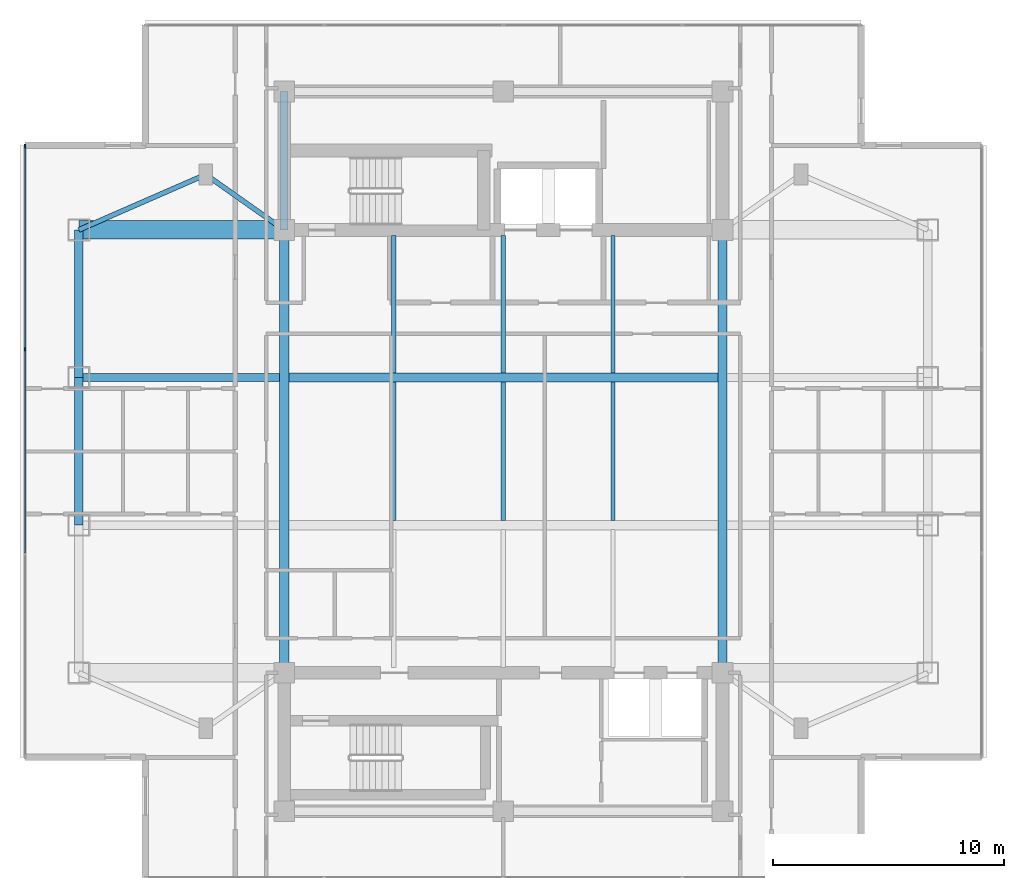
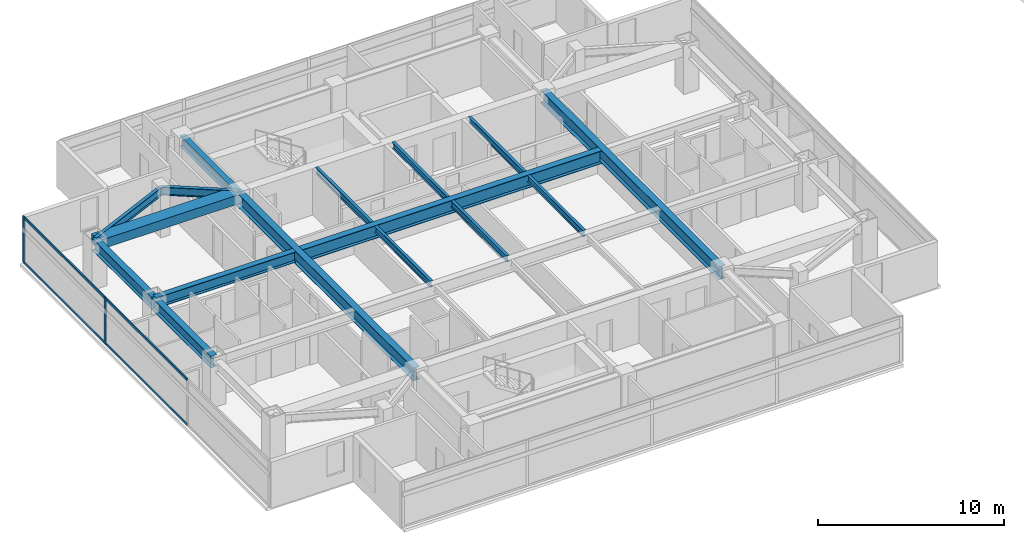
# One storey, part 3 of 24: 16 beams, 6 members, 1 element without a shape of its own.
"""IFC4 building model written with IfcOpenShell, lengths in metres."""

import ifcopenshell
import ifcopenshell.guid

model = None  # the IFC model being written
_history = None  # IfcOwnerHistory: only IFC2X3 demands one
_inside = {}  # id of a spatial element -> (the spatial element, [elements in it])
_under = {}  # id of a project, library or spatial element -> (it, [spatial elements below it])
_declared = {}  # id of a project -> (the project, [libraries it declares])
_typed = {}  # id of a type object -> (the type object, [elements of that type])
_made_of = {}  # id of a material, layer set ... -> (it, [elements and type objects made of it])


def new_model(schema):
    """Start an empty IFC model of exactly this schema.

    Asked for "IFC4X3", IfcOpenShell would pick the latest addendum, in which some entities
    have other attributes; the version numbers below select the first issue.
    IFC2X3 requires an IfcOwnerHistory on every rooted entity: one is made here for all.
    """
    global model, _history
    if schema == "IFC4X3":
        model = ifcopenshell.file(schema_version=(4, 3, 0, 0))
    else:
        model = ifcopenshell.file(schema=schema)
    _inside.clear()
    _under.clear()
    _declared.clear()
    _typed.clear()
    _made_of.clear()
    _history = None
    if model.schema == "IFC2X3":
        org = make("IfcOrganization", Name="unknown")
        user = make(
            "IfcPersonAndOrganization",
            ThePerson=make("IfcPerson", FamilyName="unknown"),
            TheOrganization=org,
        )
        app = make(
            "IfcApplication",
            ApplicationDeveloper=org,
            Version="unknown",
            ApplicationFullName="unknown",
            ApplicationIdentifier="unknown",
        )
        _history = make(
            "IfcOwnerHistory",
            OwningUser=user,
            OwningApplication=app,
            ChangeAction="ADDED",
            CreationDate=0,
        )
    return model


def make(cls, **values):
    """One entity of the class cls with the attributes given. An attribute that is None is left unset."""
    return model.create_entity(
        cls, **{name: value for name, value in values.items() if value is not None}
    )


def rooted(cls, **values):
    """An entity with a GlobalId (a new one), such as an element, a storey or a relation."""
    return make(cls, GlobalId=ifcopenshell.guid.new(), OwnerHistory=_history, **values)


def si_unit(unit_type, name, prefix=None):
    """IfcSIUnit, for example si_unit("LENGTHUNIT", "METRE", prefix="MILLI")."""
    return make("IfcSIUnit", UnitType=unit_type, Prefix=prefix, Name=name)


def assignment(units):
    """IfcUnitAssignment: the units of a project."""
    return None if units is None else make("IfcUnitAssignment", Units=units)


def point(xyz):
    """IfcCartesianPoint."""
    return None if xyz is None else make("IfcCartesianPoint", Coordinates=xyz)


def direction(xyz):
    """IfcDirection."""
    return None if xyz is None else make("IfcDirection", DirectionRatios=xyz)


def frame(location, z_axis=None, x_axis=None):
    """IfcAxis2Placement3D, a coordinate frame: its origin and axes. An axis left out is left unset."""
    return make(
        "IfcAxis2Placement3D",
        Location=point(location),
        Axis=direction(z_axis),
        RefDirection=direction(x_axis),
    )


def frame_2d(location, x_axis=None):
    """IfcAxis2Placement2D, a coordinate frame in the plane: its origin and x axis."""
    return make(
        "IfcAxis2Placement2D", Location=point(location), RefDirection=direction(x_axis)
    )


def origin():
    """The frame at (0, 0, 0) with its axes left unset."""
    return frame((0.0, 0.0, 0.0))


def origin_2d():
    """The frame at (0, 0) in the plane with its x axis left unset."""
    return frame_2d((0.0, 0.0))


def place(relative_to, where):
    """IfcLocalPlacement: puts the frame where relative to a parent placement (None: the world)."""
    return make(
        "IfcLocalPlacement", PlacementRelTo=relative_to, RelativePlacement=where
    )


def context(
    kind, dimensions, precision=None, world=None, true_north=None, identifier=None
):
    """IfcGeometricRepresentationContext, for example the 3D "Model" context."""
    return make(
        "IfcGeometricRepresentationContext",
        ContextIdentifier=identifier,
        ContextType=kind,
        CoordinateSpaceDimension=dimensions,
        Precision=precision,
        WorldCoordinateSystem=world,
        TrueNorth=true_north,
    )


def subcontext(parent, identifier, kind, view, scale=None):
    """IfcGeometricRepresentationSubContext, for example "Body" below "Model"."""
    return make(
        "IfcGeometricRepresentationSubContext",
        ContextIdentifier=identifier,
        ContextType=kind,
        ParentContext=parent,
        TargetScale=scale,
        TargetView=view,
    )


def project(units=None, contexts=None):
    """IfcProject with its units and contexts."""
    return rooted(
        "IfcProject",
        Name="project",
        RepresentationContexts=contexts,
        UnitsInContext=assignment(units),
    )


def spatial(cls, under=None, at=None, **own):
    """A site, building, storey or space (cls), placed at a placement, below another one or the project."""
    s = rooted(cls, ObjectPlacement=at, **own)
    if under is not None:
        _under.setdefault(under.id(), (under, []))[1].append(s)
    return s


def profile(cls, at=None, kind="AREA", **sizes):
    """A parametric profile (cls). Its sizes go by their IFC names, for example OverallWidth=200.0."""
    return make(cls, ProfileType=kind, Position=at, **sizes)


def rectangle(**sizes):
    """IfcRectangleProfileDef."""
    return profile("IfcRectangleProfileDef", **sizes)


def i_section(**sizes):
    """IfcIShapeProfileDef."""
    return profile("IfcIShapeProfileDef", **sizes)


def extrude(swept, where, along, depth):
    """IfcExtrudedAreaSolid: the profile swept, set in the frame where, extruded along a direction by depth."""
    return make(
        "IfcExtrudedAreaSolid",
        SweptArea=swept,
        Position=where,
        ExtrudedDirection=direction(along),
        Depth=depth,
    )


def shape(context_of_items, identifier, shape_type, items):
    """IfcShapeRepresentation: the items that make up one representation, for example the "Body"."""
    return make(
        "IfcShapeRepresentation",
        ContextOfItems=context_of_items,
        RepresentationIdentifier=identifier,
        RepresentationType=shape_type,
        Items=items,
    )


def material(Name=None, Category=None):
    """IfcMaterial."""
    return make("IfcMaterial", Name=Name, Category=Category)


def material_profile(
    of_material, cross_section, Name=None, Category=None, Priority=None
):
    """IfcMaterialProfile: a cross section and its material."""
    return make(
        "IfcMaterialProfile",
        Name=Name,
        Material=of_material,
        Profile=cross_section,
        Priority=Priority,
        Category=Category,
    )


def profile_set(profiles, Name=None, composite=None):
    """IfcMaterialProfileSet."""
    return make(
        "IfcMaterialProfileSet",
        Name=Name,
        MaterialProfiles=profiles,
        CompositeProfile=composite,
    )


def made_of(thing, what):
    """Note that an element or type object is made of a material, layer set ...; save() writes the relation."""
    if what is not None:
        _made_of.setdefault(what.id(), (what, []))[1].append(thing)
    return thing


def type_object(cls, material=None, **own):
    """A type object (cls), such as IfcWallType, which elements share."""
    return made_of(rooted(cls, **own), material)


def element(
    cls,
    number,
    at=None,
    inside=None,
    cuts=None,
    type_object=None,
    material=None,
    context=None,
    identifier="Body",
    shape_type=None,
    held_by="IfcProductDefinitionShape",
    body=None,
    shapes=None,
    **own,
):
    """One element of the class cls, such as IfcWall. Its Tag is "e" and its number.

    at: its placement. inside: the storey or other place that contains it. cuts: it is an
    opening in that element (IfcRelVoidsElement). A single representation is given by context,
    identifier, shape_type and body (its items); several are given by shapes. held_by: the class
    of the entity that holds the representations. save() writes the other relations.
    """
    e = rooted(cls, Tag="e%d" % number, ObjectPlacement=at, **own)
    if body is not None:
        shapes = [shape(context, identifier, shape_type, body)]
    if shapes is not None:
        e.Representation = make(held_by, Representations=shapes)
    if inside is not None:
        _inside.setdefault(inside.id(), (inside, []))[1].append(e)
    if cuts is not None:
        rooted(
            "IfcRelVoidsElement", RelatingBuildingElement=cuts, RelatedOpeningElement=e
        )
    if type_object is not None:
        _typed.setdefault(type_object.id(), (type_object, []))[1].append(e)
    return made_of(e, material)


def aggregate(whole, parts):
    """IfcRelAggregates: a whole, such as a stair, and the parts it consists of."""
    return rooted("IfcRelAggregates", RelatingObject=whole, RelatedObjects=parts)


def save(model, path):
    """Write the relations noted so far, then the file.

    IfcRelAggregates (storeys below a building ...), IfcRelContainedInSpatialStructure (elements
    in a storey), IfcRelDefinesByType, IfcRelAssociatesMaterial and IfcRelDeclares: one each for
    every whole, place, type object, material and project.
    """
    for whole, parts in _under.values():
        aggregate(whole, parts)
    for where, things in _inside.values():
        rooted(
            "IfcRelContainedInSpatialStructure",
            RelatedElements=things,
            RelatingStructure=where,
        )
    for kind, things in _typed.values():
        rooted("IfcRelDefinesByType", RelatedObjects=things, RelatingType=kind)
    for what, things in _made_of.values():
        rooted("IfcRelAssociatesMaterial", RelatedObjects=things, RelatingMaterial=what)
    for by, libraries in _declared.values():
        rooted("IfcRelDeclares", RelatingContext=by, RelatedDefinitions=libraries)
    model.write(path)


model = new_model("IFC4")

# Units and contexts
model_context = context("Model", 3, precision=1e-05, world=origin(), true_north=direction((0.0, 1.0)))
body_context = subcontext(model_context, "Body", "Model", "MODEL_VIEW")
ifc_project = project(units=[si_unit("LENGTHUNIT", "METRE"), si_unit("AREAUNIT", "SQUARE_METRE"), si_unit("VOLUMEUNIT", "CUBIC_METRE"), si_unit("PLANEANGLEUNIT", "RADIAN"), si_unit("MASSUNIT", "GRAM", prefix="KILO")], contexts=[model_context])

# Site, building, storey
site_placement = place(None, origin())
site = spatial("IfcSite", under=ifc_project, at=site_placement, CompositionType="ELEMENT")
building_placement = place(site_placement, origin())
building = spatial("IfcBuilding", under=site, at=building_placement, Name="Mirazonda Arch Towers", CompositionType="ELEMENT")
storey_placement = place(building_placement, frame((0.0, 0.0, 199.89990234375)))
storey = spatial("IfcBuildingStorey", under=building, at=storey_placement, Name="L57", CompositionType="ELEMENT", Elevation=199.89990234375)

# Beams
ifc_material_1 = material(Name="Steel ASTM A992 Grade 50", Category="steel")
ifc_material_profile_1 = material_profile(ifc_material_1, i_section(OverallWidth=0.381103515625, OverallDepth=0.77294921875, WebThickness=0.0166015625, FlangeThickness=0.027099609375, at=origin_2d()), Name="W30X173")
ifc_profile_set_1 = profile_set([ifc_material_profile_1], Name="Steel ASTM A992 Grade 50")
beam_type_1 = type_object("IfcBeamType", Name="BM-EXT-W30X173", PredefinedType="USERDEFINED", material=ifc_profile_set_1)
beam_1_placement = place(storey_placement, frame((2.10009765625, 24.800048828125, 2.66357421875), z_axis=(0.0, 1.0, 0.0), x_axis=(-1.0, 0.0, 0.0)))
element("IfcBeam", 1, at=beam_1_placement, inside=storey, type_object=beam_type_1, Name="L57 Floor Beam BM-T1-L57-NS-W-24", ObjectType="GIRDER", PredefinedType="USERDEFINED", context=body_context, shape_type="SweptSolid", body=[
    extrude(i_section(OverallWidth=0.381103515625, OverallDepth=0.77294921875, WebThickness=0.0166015625, FlangeThickness=0.027099609375, at=origin_2d()), origin(), (0.0, 0.0, 1.0), 6.39990234375),
])
beam_2_placement = place(storey_placement, frame((2.10009765625, 31.199951171875, 2.66357421875), z_axis=(0.0, 1.0, 0.0), x_axis=(-1.0, 0.0, 0.0)))
element("IfcBeam", 2, at=beam_2_placement, inside=storey, type_object=beam_type_1, Name="L57 Floor Beam BM-T1-L57-NS-W-31", ObjectType="GIRDER", PredefinedType="USERDEFINED", context=body_context, shape_type="SweptSolid", body=[
    extrude(i_section(OverallWidth=0.381103515625, OverallDepth=0.77294921875, WebThickness=0.0166015625, FlangeThickness=0.027099609375, at=origin_2d()), origin(), (0.0, 0.0, 1.0), 6.400146484375),
])
ifc_material_profile_2 = material_profile(ifc_material_1, i_section(OverallWidth=0.180908203125, OverallDepth=0.4169921875, WebThickness=0.010986328125, FlangeThickness=0.018310546875, at=origin_2d()), Name="W16X57")
ifc_profile_set_2 = profile_set([ifc_material_profile_2], Name="Steel ASTM A992 Grade 50")
beam_type_2 = type_object("IfcBeamType", Name="BM-INT-W16X57", PredefinedType="JOIST", material=ifc_profile_set_2)
beam_3_placement = place(storey_placement, frame((15.75, 31.39599609375, 2.841552734375), z_axis=(0.0, 1.0, 0.0), x_axis=(-1.0, 0.0, 0.0)))
element("IfcBeam", 3, at=beam_3_placement, inside=storey, type_object=beam_type_2, Name="L57 Floor Beam BM-T1-L57-J-157-31", PredefinedType="JOIST", context=body_context, shape_type="SweptSolid", body=[
    extrude(i_section(OverallWidth=0.180908203125, OverallDepth=0.4169921875, WebThickness=0.010986328125, FlangeThickness=0.018310546875, at=origin_2d()), origin(), (0.0, 0.0, 1.0), 5.964111328125),
])
beam_4_placement = place(storey_placement, frame((15.75, 24.99609375, 2.841552734375), z_axis=(0.0, 1.0, 0.0), x_axis=(-1.0, 0.0, 0.0)))
element("IfcBeam", 4, at=beam_4_placement, inside=storey, type_object=beam_type_2, Name="L57 Floor Beam BM-T1-L57-J-157-24", PredefinedType="JOIST", context=body_context, shape_type="SweptSolid", body=[
    extrude(i_section(OverallWidth=0.180908203125, OverallDepth=0.4169921875, WebThickness=0.010986328125, FlangeThickness=0.018310546875, at=origin_2d()), origin(), (0.0, 0.0, 1.0), 6.0078125),
])
beam_5_placement = place(storey_placement, frame((20.5, 31.39599609375, 2.841552734375), z_axis=(0.0, 1.0, 0.0), x_axis=(-1.0, 0.0, 0.0)))
element("IfcBeam", 5, at=beam_5_placement, inside=storey, type_object=beam_type_2, Name="L57 Floor Beam BM-T1-L57-J-205-31", PredefinedType="JOIST", context=body_context, shape_type="SweptSolid", body=[
    extrude(i_section(OverallWidth=0.180908203125, OverallDepth=0.4169921875, WebThickness=0.010986328125, FlangeThickness=0.018310546875, at=origin_2d()), origin(), (0.0, 0.0, 1.0), 5.964111328125),
])
beam_6_placement = place(storey_placement, frame((20.5, 24.99609375, 2.841552734375), z_axis=(0.0, 1.0, 0.0), x_axis=(-1.0, 0.0, 0.0)))
element("IfcBeam", 6, at=beam_6_placement, inside=storey, type_object=beam_type_2, Name="L57 Floor Beam BM-T1-L57-J-205-24", PredefinedType="JOIST", context=body_context, shape_type="SweptSolid", body=[
    extrude(i_section(OverallWidth=0.180908203125, OverallDepth=0.4169921875, WebThickness=0.010986328125, FlangeThickness=0.018310546875, at=origin_2d()), origin(), (0.0, 0.0, 1.0), 6.0078125),
])
beam_7_placement = place(storey_placement, frame((25.25, 31.39599609375, 2.841552734375), z_axis=(0.0, 1.0, 0.0), x_axis=(-1.0, 0.0, 0.0)))
element("IfcBeam", 7, at=beam_7_placement, inside=storey, type_object=beam_type_2, Name="L57 Floor Beam BM-T1-L57-J-252-31", PredefinedType="JOIST", context=body_context, shape_type="SweptSolid", body=[
    extrude(i_section(OverallWidth=0.180908203125, OverallDepth=0.4169921875, WebThickness=0.010986328125, FlangeThickness=0.018310546875, at=origin_2d()), origin(), (0.0, 0.0, 1.0), 5.964111328125),
])
beam_8_placement = place(storey_placement, frame((25.25, 24.99609375, 2.841552734375), z_axis=(0.0, 1.0, 0.0), x_axis=(-1.0, 0.0, 0.0)))
element("IfcBeam", 8, at=beam_8_placement, inside=storey, type_object=beam_type_2, Name="L57 Floor Beam BM-T1-L57-J-252-24", PredefinedType="JOIST", context=body_context, shape_type="SweptSolid", body=[
    extrude(i_section(OverallWidth=0.180908203125, OverallDepth=0.4169921875, WebThickness=0.010986328125, FlangeThickness=0.018310546875, at=origin_2d()), origin(), (0.0, 0.0, 1.0), 6.0078125),
])
ifc_material_profile_3 = material_profile(ifc_material_1, i_section(OverallWidth=0.214111328125, OverallDepth=0.549072265625, WebThickness=0.0146484375, FlangeThickness=0.023681640625, at=origin_2d()), Name="W21X93")
ifc_profile_set_3 = profile_set([ifc_material_profile_3], Name="Steel ASTM A992 Grade 50")
beam_type_3 = type_object("IfcBeamType", Name="BM-INT-W21X93", PredefinedType="BEAM", material=ifc_profile_set_3)
beam_9_placement = place(storey_placement, frame((7.60009765625, 40.0, 2.775634765625), z_axis=(0.816971114901, -0.576678591087, 0.0), x_axis=(0.576678591087, 0.816971114901, 0.0)))
element("IfcBeam", 9, at=beam_9_placement, inside=storey, type_object=beam_type_3, Name="L57 Floor Beam BM-T1-L57-PL-NW1", PredefinedType="BEAM", context=body_context, shape_type="SweptSolid", body=[
    extrude(i_section(OverallWidth=0.214111328125, OverallDepth=0.549072265625, WebThickness=0.0146484375, FlangeThickness=0.023681640625, at=origin_2d()), origin(), (0.0, 0.0, 1.0), 4.16162109375),
])
beam_10_placement = place(storey_placement, frame((7.60009765625, 40.0, 2.775634765625), z_axis=(-0.916545343703, -0.399930785183, 0.0), x_axis=(0.399930785183, -0.916545343703, 0.0)))
element("IfcBeam", 10, at=beam_10_placement, inside=storey, type_object=beam_type_3, Name="L57 Floor Beam BM-T1-L57-PL-NW2", PredefinedType="BEAM", context=body_context, shape_type="SweptSolid", body=[
    extrude(i_section(OverallWidth=0.214111328125, OverallDepth=0.549072265625, WebThickness=0.0146484375, FlangeThickness=0.023681640625, at=origin_2d()), origin(), (0.0, 0.0, 1.0), 6.000732421875),
])
ifc_material_profile_4 = material_profile(ifc_material_1, i_section(OverallWidth=0.35498046875, OverallDepth=0.696044921875, WebThickness=0.015380859375, FlangeThickness=0.02490234375, at=origin_2d()), Name="W27X146")
ifc_profile_set_4 = profile_set([ifc_material_profile_4], Name="Steel ASTM A992 Grade 50")
beam_type_4 = type_object("IfcBeamType", Name="BM-INT-W27X146", PredefinedType="BEAM", material=ifc_profile_set_4)
beam_11_placement = place(storey_placement, frame((2.10009765625, 31.199951171875, 2.7021484375), z_axis=(1.0, 0.0, 0.0), x_axis=(0.0, 1.0, 0.0)))
element("IfcBeam", 11, at=beam_11_placement, inside=storey, type_object=beam_type_4, Name="L57 Floor Beam BM-T1-L57-GW3", PredefinedType="BEAM", context=body_context, shape_type="SweptSolid", body=[
    extrude(i_section(OverallWidth=0.35498046875, OverallDepth=0.696044921875, WebThickness=0.015380859375, FlangeThickness=0.02490234375, at=origin_2d()), origin(), (0.0, 0.0, 1.0), 8.699951171875),
])
beam_12_placement = place(storey_placement, frame((11.0, 37.60009765625, 2.7021484375), z_axis=(0.0, 1.0, 0.0), x_axis=(-1.0, 0.0, 0.0)))
element("IfcBeam", 12, at=beam_12_placement, inside=storey, type_object=beam_type_4, Name="L57 Floor Beam BM-T1-L57-CNW", PredefinedType="BEAM", context=body_context, shape_type="SweptSolid", body=[
    extrude(i_section(OverallWidth=0.35498046875, OverallDepth=0.696044921875, WebThickness=0.015380859375, FlangeThickness=0.02490234375, at=origin_2d()), origin(), (0.0, 0.0, 1.0), 6.0),
])
ifc_material_profile_5 = material_profile(ifc_material_1, i_section(OverallWidth=0.39990234375, OverallDepth=0.85595703125, WebThickness=0.018310546875, FlangeThickness=0.029296875, at=origin_2d()), Name="W33X201")
ifc_profile_set_5 = profile_set([ifc_material_profile_5], Name="Steel ASTM A992 Grade 50")
beam_type_5 = type_object("IfcBeamType", Name="BM-INT-W33X201", PredefinedType="USERDEFINED", material=ifc_profile_set_5)
beam_13_placement = place(storey_placement, frame((11.199951171875, 31.199951171875, 2.6220703125), z_axis=(1.0, 0.0, 0.0), x_axis=(0.0, 1.0, 0.0)))
element("IfcBeam", 13, at=beam_13_placement, inside=storey, type_object=beam_type_5, Name="L57 Floor Beam BM-T1-L57-GC3", ObjectType="GIRDER", PredefinedType="USERDEFINED", context=body_context, shape_type="SweptSolid", body=[
    extrude(i_section(OverallWidth=0.39990234375, OverallDepth=0.85595703125, WebThickness=0.018310546875, FlangeThickness=0.029296875, at=origin_2d()), origin(), (0.0, 0.0, 1.0), 18.60009765625),
])
for number, where, z_axis, x_axis, name in (
    (14, (11.0, 18.39990234375, 2.6220703125), (0.0, 1.0, 0.0), (-1.0, 0.0, 0.0), "L57 Floor Beam BM-T1-L57-NS-CW-FULL"),
    (15, (30.0, 18.39990234375, 2.6220703125), (0.0, 1.0, 0.0), (-1.0, 0.0, 0.0), "L57 Floor Beam BM-T1-L57-NS-CE-FULL"),
):
    element("IfcBeam", number, at=place(storey_placement, frame(where, z_axis=z_axis, x_axis=x_axis)), inside=storey, type_object=beam_type_5, Name=name, ObjectType="GIRDER", PredefinedType="USERDEFINED", context=body_context, shape_type="SweptSolid", body=[
        extrude(i_section(OverallWidth=0.39990234375, OverallDepth=0.85595703125, WebThickness=0.018310546875, FlangeThickness=0.029296875, at=origin_2d()), origin(), (0.0, 0.0, 1.0), 19.2001953125),
    ])
ifc_material_2 = material(Name="Concrete C60/75", Category="concrete")
ifc_material_profile_6 = material_profile(ifc_material_2, rectangle(XDim=0.800048828125, YDim=0.60009765625, at=origin_2d()), Name="RCCB800x600")
ifc_profile_set_6 = profile_set([ifc_material_profile_6], Name="Concrete C60/75")
beam_type_6 = type_object("IfcBeamType", Name="CB-INT-RCCB800x600", PredefinedType="SPANDREL", material=ifc_profile_set_6)
beam_14_placement = place(storey_placement, frame((2.10009765625, 37.60009765625, 2.75), z_axis=(1.0, 0.0, 0.0), x_axis=(0.0, 1.0, 0.0)))
element("IfcBeam", 16, at=beam_14_placement, inside=storey, type_object=beam_type_6, Name="L57 Floor Beam CBC-T1-L57-NW", PredefinedType="SPANDREL", context=body_context, shape_type="SweptSolid", body=[
    extrude(rectangle(XDim=0.800048828125, YDim=0.60009765625, at=origin_2d()), origin(), (0.0, 0.0, 1.0), 8.89990234375),
])

# Curtain wall, members
ifc_material_3 = material(Name="Anodised Aluminium and Low-E Glass", Category="aluminium")
curtain_wall_type = type_object("IfcCurtainWallType", Name="CW-RES-UNIT", PredefinedType="NOTDEFINED", material=ifc_material_3)
curtain_wall_placement = place(storey_placement, origin())
curtain_wall = element("IfcCurtainWall", 17, at=curtain_wall_placement, inside=storey, type_object=curtain_wall_type, Name="L57 T1 W Facade CW-L57-T1-W", PredefinedType="NOTDEFINED")
ifc_material_4 = material(Name="Anodised Aluminium Alloy", Category="aluminium")
ifc_material_profile_7 = material_profile(ifc_material_4, rectangle(XDim=0.074951171875, YDim=0.175048828125, at=origin_2d()), Name="ALU-MULL-75x175")
ifc_profile_set_7 = profile_set([ifc_material_profile_7], Name="Anodised Aluminium Alloy")
member_type_1 = type_object("IfcMemberType", Name="MULL-CW-RES-UNIT", PredefinedType="MULLION", material=ifc_profile_set_7)
member_1_placement = place(storey_placement, frame((-0.22998046875, 41.2275390625, 0.0), z_axis=(0.0, 0.0, 1.0), x_axis=(1.0, 0.0, 0.0)))
member_1 = element("IfcMember", 18, at=member_1_placement, type_object=member_type_1, Name="CW-104 mullion 1", PredefinedType="MULLION", context=body_context, shape_type="SweptSolid", body=[
    extrude(rectangle(XDim=0.074951171875, YDim=0.175048828125, at=origin_2d()), origin(), (0.0, 0.0, 1.0), 3.030029296875),
])
member_2_placement = place(storey_placement, frame((-0.22998046875, 32.421630859375, 0.0), z_axis=(0.0, 0.0, 1.0), x_axis=(1.0, 0.0, 0.0)))
member_2 = element("IfcMember", 19, at=member_2_placement, type_object=member_type_1, Name="CW-104 mullion 2", PredefinedType="MULLION", context=body_context, shape_type="SweptSolid", body=[
    extrude(rectangle(XDim=0.074951171875, YDim=0.175048828125, at=origin_2d()), origin(), (0.0, 0.0, 1.0), 3.030029296875),
])
ifc_material_profile_8 = material_profile(ifc_material_4, rectangle(XDim=0.074951171875, YDim=0.155029296875, at=origin_2d()), Name="ALU-TRAN-75x155")
ifc_profile_set_8 = profile_set([ifc_material_profile_8], Name="Anodised Aluminium Alloy")
member_type_2 = type_object("IfcMemberType", Name="TRAN-CW-RES-UNIT", PredefinedType="USERDEFINED", material=ifc_profile_set_8)
member_3_placement = place(storey_placement, frame((-0.22998046875, 41.18994140625, 0.03759765625), z_axis=(0.0, -1.0, 0.0), x_axis=(1.0, 0.0, 0.0)))
member_3 = element("IfcMember", 20, at=member_3_placement, type_object=member_type_2, Name="CW-104 transom 1.1", ObjectType="TRANSOM", PredefinedType="USERDEFINED", context=body_context, shape_type="SweptSolid", body=[
    extrude(rectangle(XDim=0.074951171875, YDim=0.155029296875, at=origin_2d()), origin(), (0.0, 0.0, 1.0), 8.730712890625),
])
member_4_placement = place(storey_placement, frame((-0.22998046875, 41.18994140625, 2.99267578125), z_axis=(0.0, -1.0, 0.0), x_axis=(1.0, 0.0, 0.0)))
member_4 = element("IfcMember", 21, at=member_4_placement, type_object=member_type_2, Name="CW-104 transom 1.2", ObjectType="TRANSOM", PredefinedType="USERDEFINED", context=body_context, shape_type="SweptSolid", body=[
    extrude(rectangle(XDim=0.074951171875, YDim=0.155029296875, at=origin_2d()), origin(), (0.0, 0.0, 1.0), 8.730712890625),
])
member_5_placement = place(storey_placement, frame((-0.22998046875, 32.38427734375, 0.03759765625), z_axis=(0.0, -1.0, 0.0), x_axis=(1.0, 0.0, 0.0)))
member_5 = element("IfcMember", 22, at=member_5_placement, type_object=member_type_2, Name="CW-104 transom 2.1", ObjectType="TRANSOM", PredefinedType="USERDEFINED", context=body_context, shape_type="SweptSolid", body=[
    extrude(rectangle(XDim=0.074951171875, YDim=0.155029296875, at=origin_2d()), origin(), (0.0, 0.0, 1.0), 8.7685546875),
])
member_6_placement = place(storey_placement, frame((-0.22998046875, 32.38427734375, 2.99267578125), z_axis=(0.0, -1.0, 0.0), x_axis=(1.0, 0.0, 0.0)))
member_6 = element("IfcMember", 23, at=member_6_placement, type_object=member_type_2, Name="CW-104 transom 2.2", ObjectType="TRANSOM", PredefinedType="USERDEFINED", context=body_context, shape_type="SweptSolid", body=[
    extrude(rectangle(XDim=0.074951171875, YDim=0.155029296875, at=origin_2d()), origin(), (0.0, 0.0, 1.0), 8.7685546875),
])
aggregate(curtain_wall, [member_1, member_2, member_3, member_4, member_5, member_6])

save(model, "model.ifc")
